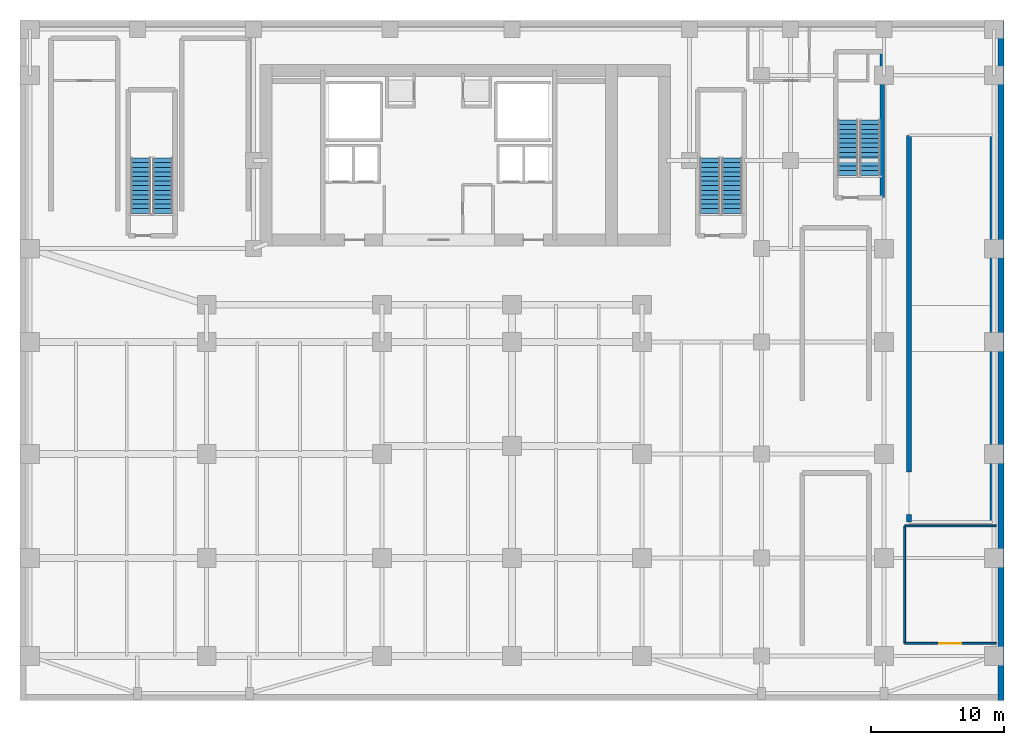
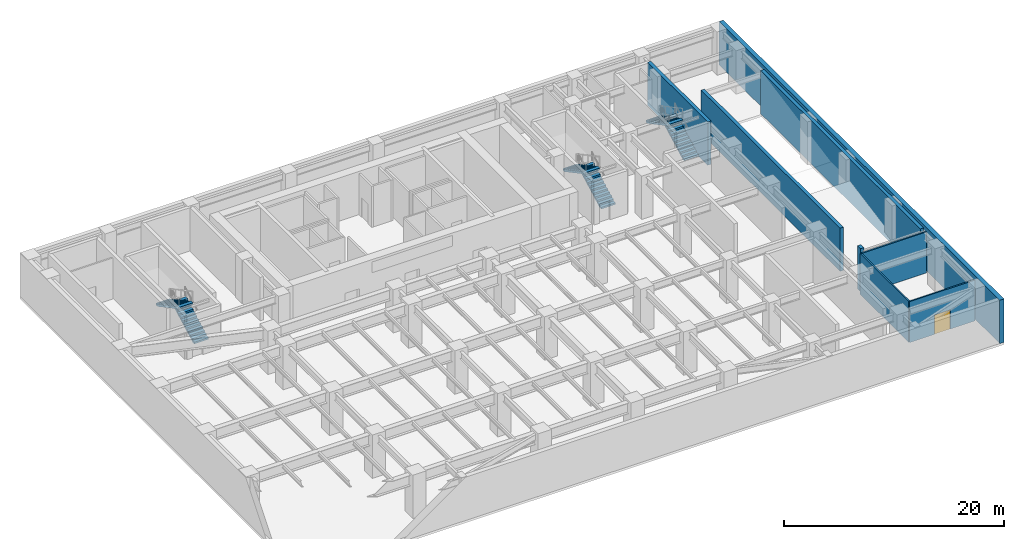
# One storey, part 6 of 9: 8 walls, 6 stair flights, 1 door, 1 opening, 3 elements without a shape of their own.
"""IFC4 building model written with IfcOpenShell, lengths in metres."""

from ifc_helpers import new_model, si_unit, direction, frame, frame_2d, origin, place, context, subcontext, project, spatial, polyline, rectangle, outline, extrude, source, transform, mapped, material, layer, layer_set, type_object, type_shapes, element, fill, aggregate, save


model = new_model("IFC4")

# Units and contexts
model_context = context("Model", 3, precision=1e-05, world=origin(), true_north=direction((0.0, 1.0)))
body_context = subcontext(model_context, "Body", "Model", "MODEL_VIEW")
ifc_project = project(units=[si_unit("LENGTHUNIT", "METRE"), si_unit("AREAUNIT", "SQUARE_METRE"), si_unit("VOLUMEUNIT", "CUBIC_METRE"), si_unit("PLANEANGLEUNIT", "RADIAN"), si_unit("MASSUNIT", "GRAM", prefix="KILO")], contexts=[model_context])

# Site, building, storey
site_placement = place(None, origin())
site = spatial("IfcSite", under=ifc_project, at=site_placement, CompositionType="ELEMENT")
building_placement = place(site_placement, origin())
building = spatial("IfcBuilding", under=site, at=building_placement, Name="Tolvann Quenvar Hotel", CompositionType="ELEMENT")
storey_placement = place(building_placement, frame((0.0, 0.0, -4.800048828125)))
storey = spatial("IfcBuildingStorey", under=building, at=storey_placement, Name="B01", CompositionType="ELEMENT", Elevation=-4.800048828125)

# Walls
ifc_material_1 = material(Name="Concrete S65 (65 MPa)", Category="concrete")
ifc_layer_1 = layer(ifc_material_1, 0.35009765625)
ifc_layer_set_1 = layer_set([ifc_layer_1], Name="Concrete S65 (65 MPa)")
wall_type_1 = type_object("IfcWallType", Name="WALL_CORE_INT_350", PredefinedType="SHEAR", material=ifc_layer_set_1)
wall_1_placement = place(storey_placement, frame((56.27490234375, 35.22509765625, 0.0), z_axis=(0.0, 0.0, 1.0), x_axis=(0.0, 1.0, 0.0)))
element("IfcWall", 1, at=wall_1_placement, inside=storey, type_object=wall_type_1, Name="Stairwell ST-B3 Structural Shaft Wall E (B01)", PredefinedType="SHEAR", context=body_context, shape_type="SweptSolid", body=[
    extrude(rectangle(XDim=10.949951171875, YDim=0.35009765625, at=frame_2d((5.47509765625, 0.0))), origin(), (0.0, 0.0, 1.0), 4.800048828125),
])
wall_2_placement = place(storey_placement, frame((58.27490234375, 10.89990234375, 0.0), z_axis=(0.0, 0.0, 1.0), x_axis=(0.0, 1.0, 0.0)))
element("IfcWall", 2, at=wall_2_placement, inside=storey, type_object=wall_type_1, Name="Vehicle Ramp Structural Shaft Wall W1 (B01)", PredefinedType="SHEAR", context=body_context, shape_type="SweptSolid", body=[
    extrude(rectangle(XDim=0.550048828125, YDim=0.35009765625, at=frame_2d((0.27490234375, 0.0))), origin(), (0.0, 0.0, 1.0), 4.800048828125),
])
wall_3_placement = place(storey_placement, frame((58.27490234375, 14.64990234375, 0.0), z_axis=(0.0, 0.0, 1.0), x_axis=(0.0, 1.0, 0.0)))
element("IfcWall", 3, at=wall_3_placement, inside=storey, type_object=wall_type_1, Name="Vehicle Ramp Structural Shaft Wall W (B01)", PredefinedType="SHEAR", context=body_context, shape_type="SweptSolid", body=[
    extrude(rectangle(XDim=25.25, YDim=0.35009765625, at=frame_2d((12.625, 0.0))), origin(), (0.0, 0.0, 1.0), 4.800048828125),
])
wall_4_placement = place(storey_placement, frame((64.52490234375, 10.89990234375, 0.0), z_axis=(0.0, 0.0, 1.0), x_axis=(0.0, 1.0, 0.0)))
element("IfcWall", 4, at=wall_4_placement, inside=storey, type_object=wall_type_1, Name="Vehicle Ramp Structural Shaft Wall E (B01)", PredefinedType="SHEAR", context=body_context, shape_type="SweptSolid", body=[
    extrude(rectangle(XDim=29.0, YDim=0.35009765625, at=frame_2d((14.5, 0.0))), origin(), (0.0, 0.0, 1.0), 4.800048828125),
])

# Wall, opening, door
ifc_material_2 = material(Name="Acoustic twin-stud fire-rated gypsum plasterboard partition")
ifc_layer_2 = layer(ifc_material_2, 0.14990234375)
ifc_layer_set_2 = layer_set([ifc_layer_2], Name="Acoustic twin-stud fire-rated gypsum plasterboard partition")
wall_type_2 = type_object("IfcWallType", Name="WALL_PART_SUITE_150", PredefinedType="PARTITIONING", material=ifc_layer_set_2)
wall_5_placement = place(storey_placement, frame((57.949951171875, 1.800048828125, 0.0), z_axis=(0.0, 0.0, 1.0), x_axis=(1.0, 0.0, 0.0)))
wall_5 = element("IfcWall", 5, at=wall_5_placement, inside=storey, type_object=wall_type_2, Name="Interior Partition PT-SPC-B01-OBS-S", PredefinedType="PARTITIONING", context=body_context, shape_type="SweptSolid", body=[
    extrude(rectangle(XDim=6.85009765625, YDim=0.14990234375, at=frame_2d((3.425048828125, 0.0))), origin(), (0.0, 0.0, 1.0), 4.5400390625),
])
opening_placement = place(wall_5_placement, frame((2.60009765625, 0.0, 0.0)))
opening = element("IfcOpeningElement", 6, at=opening_placement, cuts=wall_5, Name="Opening AD-01", PredefinedType="OPENING", context=body_context, shape_type="SweptSolid", body=[
    extrude(rectangle(XDim=1.64990234375, YDim=2.14990234375, at=frame_2d((0.824951171875, 1.074951171875))), frame((0.0, 0.0849609375, 0.0), z_axis=(0.0, -1.0, 0.0), x_axis=(1.0, 0.0, 0.0)), (0.0, 0.0, 1.0), 0.169921875),
])
ifc_material_3 = material(Name="Solid-core American oak acoustic fire door leaf in steel frame", Category="steel")
door_type = type_object("IfcDoorType", Name="DOOR_SALON_1650", OperationType="NOTDEFINED", PredefinedType="DOOR", material=ifc_material_3)
shared_shape = source(origin(), body_context, "Body", "SweptSolid", [
    extrude(rectangle(XDim=1.64990234375, YDim=2.14990234375, at=frame_2d((0.824951171875, 1.074951171875))), frame((0.0, 0.02490234375, 0.0), z_axis=(0.0, -1.0, 0.0), x_axis=(1.0, 0.0, 0.0)), (0.0, 0.0, 1.0), 0.050048828125),
])
type_shapes(door_type, [shared_shape])
door_placement = place(opening_placement, origin())
door = element("IfcDoor", 7, at=door_placement, inside=storey, type_object=door_type, Name="Interior Door DOOR-SPC-B01-OBS", OperationType="DOUBLE_DOOR_SINGLE_SWING", OverallHeight=2.14990234375, OverallWidth=1.64990234375, PredefinedType="DOOR", context=body_context, shape_type="MappedRepresentation", body=[
    mapped(shared_shape, transform((0.0, 0.0, 0.0), x_axis=(1.0, 0.0, 0.0), y_axis=(0.0, 1.0, 0.0), z_axis=(0.0, 0.0, 1.0), scale=1.0)),
])
fill(opening, door)

# Walls
wall_6_placement = place(storey_placement, frame((57.949951171875, 10.60009765625, 0.0), z_axis=(0.0, 0.0, 1.0), x_axis=(1.0, 0.0, 0.0)))
element("IfcWall", 8, at=wall_6_placement, inside=storey, type_object=wall_type_2, Name="Interior Partition PT-SPC-B01-OBS-N", PredefinedType="PARTITIONING", context=body_context, shape_type="SweptSolid", body=[
    extrude(rectangle(XDim=6.85009765625, YDim=0.14990234375, at=frame_2d((3.425048828125, 0.0))), origin(), (0.0, 0.0, 1.0), 4.5400390625),
])
wall_7_placement = place(storey_placement, frame((57.949951171875, 1.800048828125, 0.0), z_axis=(0.0, 0.0, 1.0), x_axis=(0.0, 1.0, 0.0)))
element("IfcWall", 9, at=wall_7_placement, inside=storey, type_object=wall_type_2, Name="Interior Partition PT-SPC-B01-OBS-W", PredefinedType="PARTITIONING", context=body_context, shape_type="SweptSolid", body=[
    extrude(rectangle(XDim=8.800048828125, YDim=0.14990234375, at=frame_2d((4.39990234375, 0.0))), origin(), (0.0, 0.0, 1.0), 4.5400390625),
])
ifc_material_4 = material(Name="Concrete N50 (50 MPa)", Category="concrete")
ifc_layer_3 = layer(ifc_material_4, 0.449951171875)
ifc_layer_set_3 = layer_set([ifc_layer_3], Name="Concrete N50 (50 MPa)")
wall_type_3 = type_object("IfcWallType", Name="WALL_RET_450", PredefinedType="SOLIDWALL", material=ifc_layer_set_3)
wall_8_placement = place(storey_placement, frame((65.175048828125, -2.5, 0.0), z_axis=(0.0, 0.0, 1.0), x_axis=(0.0, 1.0, 0.0)))
element("IfcWall", 10, at=wall_8_placement, inside=storey, type_object=wall_type_3, Name="Basement Perimeter Retaining Wall E (B01)", PredefinedType="SOLIDWALL", context=body_context, shape_type="SweptSolid", body=[
    extrude(rectangle(XDim=51.0, YDim=0.449951171875, at=frame_2d((25.5, 0.0))), origin(), (0.0, 0.0, 1.0), 4.800048828125),
])

# Stair, stair flights
ifc_material_5 = material(Name="Concrete N40 (40 MPa)", Category="concrete")
stair_type = type_object("IfcStairType", Name="STAIR", PredefinedType="HALF_TURN_STAIR", material=ifc_material_5)
stair_1_placement = place(storey_placement, origin())
stair_1 = element("IfcStair", 11, at=stair_1_placement, inside=storey, type_object=stair_type, Name="B01 ST-B1", PredefinedType="HALF_TURN_STAIR")
stair_flight_type = type_object("IfcStairFlightType", Name="STAIR_FLIGHT", PredefinedType="STRAIGHT", material=ifc_material_5)
stair_flight_1_placement = place(storey_placement, frame((2.300048828125, 34.050048828125, 0.0), z_axis=(0.0, 0.0, 1.0), x_axis=(0.0, 1.0, 0.0)))
stair_flight_1 = element("IfcStairFlight", 12, at=stair_flight_1_placement, type_object=stair_flight_type, Name="ST-B1 flight 1", NumberOfRisers=13, NumberOfTreads=12, PredefinedType="STRAIGHT", RiserHeight=0.184615385, TreadLength=0.345, context=body_context, shape_type="SweptSolid", body=[
    extrude(outline(polyline([(0.0, 0.0), (0.0, 0.1845703125), (0.344970703125, 0.1845703125), (0.344970703125, 0.369140625), (0.68994140625, 0.369140625), (0.68994140625, 0.553955078125), (1.034912109375, 0.553955078125), (1.034912109375, 0.738525390625), (1.3798828125, 0.738525390625), (1.3798828125, 0.923095703125), (1.72509765625, 0.923095703125), (1.72509765625, 1.107666015625), (2.070068359375, 1.107666015625), (2.070068359375, 1.292236328125), (2.4150390625, 1.292236328125), (2.4150390625, 1.476806640625), (2.760009765625, 1.476806640625), (2.760009765625, 1.66162109375), (3.10498046875, 1.66162109375), (3.10498046875, 1.84619140625), (3.449951171875, 1.84619140625), (3.449951171875, 2.03076171875), (3.794921875, 2.03076171875), (3.794921875, 2.21533203125), (4.139892578125, 2.21533203125), (4.139892578125, 2.39990234375), (4.139892578125, 2.04541015625), (0.317626953125, 0.0), (0.0, 0.0)])), frame((0.0, 0.75, 0.0), z_axis=(0.0, -1.0, 0.0), x_axis=(1.0, 0.0, 0.0)), (0.0, 0.0, 1.0), 1.5),
])
stair_flight_2_placement = place(storey_placement, frame((0.64990234375, 38.18994140625, 2.400146484375), z_axis=(0.0, 0.0, 1.0), x_axis=(0.0, -1.0, 0.0)))
stair_flight_2 = element("IfcStairFlight", 13, at=stair_flight_2_placement, type_object=stair_flight_type, Name="ST-B1 flight 2", NumberOfRisers=13, NumberOfTreads=12, PredefinedType="STRAIGHT", RiserHeight=0.184615385, TreadLength=0.345, context=body_context, shape_type="SweptSolid", body=[
    extrude(outline(polyline([(0.0, 0.0), (0.0, 0.1845703125), (0.344970703125, 0.1845703125), (0.344970703125, 0.369140625), (0.68994140625, 0.369140625), (0.68994140625, 0.553955078125), (1.034912109375, 0.553955078125), (1.034912109375, 0.738525390625), (1.3798828125, 0.738525390625), (1.3798828125, 0.923095703125), (1.72509765625, 0.923095703125), (1.72509765625, 1.107666015625), (2.070068359375, 1.107666015625), (2.070068359375, 1.292236328125), (2.4150390625, 1.292236328125), (2.4150390625, 1.476806640625), (2.760009765625, 1.476806640625), (2.760009765625, 1.66162109375), (3.10498046875, 1.66162109375), (3.10498046875, 1.84619140625), (3.449951171875, 1.84619140625), (3.449951171875, 2.03076171875), (3.794921875, 2.03076171875), (3.794921875, 2.21533203125), (4.139892578125, 2.21533203125), (4.139892578125, 2.39990234375), (4.139892578125, 2.04541015625), (0.317626953125, 0.0), (0.0, 0.0)])), frame((0.0, 0.75, 0.0), z_axis=(0.0, -1.0, 0.0), x_axis=(1.0, 0.0, 0.0)), (0.0, 0.0, 1.0), 1.5),
])
aggregate(stair_1, [stair_flight_1, stair_flight_2])

stair_2_placement = place(storey_placement, origin())
stair_2 = element("IfcStair", 14, at=stair_2_placement, inside=storey, type_object=stair_type, Name="B01 ST-B2", PredefinedType="HALF_TURN_STAIR")
stair_flight_3_placement = place(storey_placement, frame((45.0, 34.050048828125, 0.0), z_axis=(0.0, 0.0, 1.0), x_axis=(0.0, 1.0, 0.0)))
stair_flight_3 = element("IfcStairFlight", 15, at=stair_flight_3_placement, type_object=stair_flight_type, Name="ST-B2 flight 1", NumberOfRisers=13, NumberOfTreads=12, PredefinedType="STRAIGHT", RiserHeight=0.184615385, TreadLength=0.345, context=body_context, shape_type="SweptSolid", body=[
    extrude(outline(polyline([(0.0, 0.0), (0.0, 0.1845703125), (0.344970703125, 0.1845703125), (0.344970703125, 0.369140625), (0.68994140625, 0.369140625), (0.68994140625, 0.553955078125), (1.034912109375, 0.553955078125), (1.034912109375, 0.738525390625), (1.3798828125, 0.738525390625), (1.3798828125, 0.923095703125), (1.72509765625, 0.923095703125), (1.72509765625, 1.107666015625), (2.070068359375, 1.107666015625), (2.070068359375, 1.292236328125), (2.4150390625, 1.292236328125), (2.4150390625, 1.476806640625), (2.760009765625, 1.476806640625), (2.760009765625, 1.66162109375), (3.10498046875, 1.66162109375), (3.10498046875, 1.84619140625), (3.449951171875, 1.84619140625), (3.449951171875, 2.03076171875), (3.794921875, 2.03076171875), (3.794921875, 2.21533203125), (4.139892578125, 2.21533203125), (4.139892578125, 2.39990234375), (4.139892578125, 2.04541015625), (0.317626953125, 0.0), (0.0, 0.0)])), frame((0.0, 0.75, 0.0), z_axis=(0.0, -1.0, 0.0), x_axis=(1.0, 0.0, 0.0)), (0.0, 0.0, 1.0), 1.5),
])
stair_flight_4_placement = place(storey_placement, frame((43.35009765625, 38.18994140625, 2.400146484375), z_axis=(0.0, 0.0, 1.0), x_axis=(0.0, -1.0, 0.0)))
stair_flight_4 = element("IfcStairFlight", 16, at=stair_flight_4_placement, type_object=stair_flight_type, Name="ST-B2 flight 2", NumberOfRisers=13, NumberOfTreads=12, PredefinedType="STRAIGHT", RiserHeight=0.184615385, TreadLength=0.345, context=body_context, shape_type="SweptSolid", body=[
    extrude(outline(polyline([(0.0, 0.0), (0.0, 0.1845703125), (0.344970703125, 0.1845703125), (0.344970703125, 0.369140625), (0.68994140625, 0.369140625), (0.68994140625, 0.553955078125), (1.034912109375, 0.553955078125), (1.034912109375, 0.738525390625), (1.3798828125, 0.738525390625), (1.3798828125, 0.923095703125), (1.72509765625, 0.923095703125), (1.72509765625, 1.107666015625), (2.070068359375, 1.107666015625), (2.070068359375, 1.292236328125), (2.4150390625, 1.292236328125), (2.4150390625, 1.476806640625), (2.760009765625, 1.476806640625), (2.760009765625, 1.66162109375), (3.10498046875, 1.66162109375), (3.10498046875, 1.84619140625), (3.449951171875, 1.84619140625), (3.449951171875, 2.03076171875), (3.794921875, 2.03076171875), (3.794921875, 2.21533203125), (4.139892578125, 2.21533203125), (4.139892578125, 2.39990234375), (4.139892578125, 2.04541015625), (0.317626953125, 0.0), (0.0, 0.0)])), frame((0.0, 0.75, 0.0), z_axis=(0.0, -1.0, 0.0), x_axis=(1.0, 0.0, 0.0)), (0.0, 0.0, 1.0), 1.5),
])
aggregate(stair_2, [stair_flight_3, stair_flight_4])

stair_3_placement = place(storey_placement, origin())
stair_3 = element("IfcStair", 17, at=stair_3_placement, inside=storey, type_object=stair_type, Name="B01 ST-B3", PredefinedType="HALF_TURN_STAIR")
stair_flight_5_placement = place(storey_placement, frame((55.35009765625, 36.89990234375, 0.0), z_axis=(0.0, 0.0, 1.0), x_axis=(0.0, 1.0, 0.0)))
stair_flight_5 = element("IfcStairFlight", 18, at=stair_flight_5_placement, type_object=stair_flight_type, Name="ST-B3 flight 1", NumberOfRisers=13, NumberOfTreads=12, PredefinedType="STRAIGHT", RiserHeight=0.184615385, TreadLength=0.345, context=body_context, shape_type="SweptSolid", body=[
    extrude(outline(polyline([(0.0, 0.0), (0.0, 0.1845703125), (0.344970703125, 0.1845703125), (0.344970703125, 0.369140625), (0.68994140625, 0.369140625), (0.68994140625, 0.553955078125), (1.034912109375, 0.553955078125), (1.034912109375, 0.738525390625), (1.3798828125, 0.738525390625), (1.3798828125, 0.923095703125), (1.72509765625, 0.923095703125), (1.72509765625, 1.107666015625), (2.070068359375, 1.107666015625), (2.070068359375, 1.292236328125), (2.4150390625, 1.292236328125), (2.4150390625, 1.476806640625), (2.760009765625, 1.476806640625), (2.760009765625, 1.66162109375), (3.10498046875, 1.66162109375), (3.10498046875, 1.84619140625), (3.449951171875, 1.84619140625), (3.449951171875, 2.03076171875), (3.794921875, 2.03076171875), (3.794921875, 2.21533203125), (4.139892578125, 2.21533203125), (4.139892578125, 2.39990234375), (4.139892578125, 2.04541015625), (0.317626953125, 0.0), (0.0, 0.0)])), frame((0.0, 0.75, 0.0), z_axis=(0.0, -1.0, 0.0), x_axis=(1.0, 0.0, 0.0)), (0.0, 0.0, 1.0), 1.5),
])
stair_flight_6_placement = place(storey_placement, frame((53.699951171875, 41.0400390625, 2.400146484375), z_axis=(0.0, 0.0, 1.0), x_axis=(0.0, -1.0, 0.0)))
stair_flight_6 = element("IfcStairFlight", 19, at=stair_flight_6_placement, type_object=stair_flight_type, Name="ST-B3 flight 2", NumberOfRisers=13, NumberOfTreads=12, PredefinedType="STRAIGHT", RiserHeight=0.184615385, TreadLength=0.345, context=body_context, shape_type="SweptSolid", body=[
    extrude(outline(polyline([(0.0, 0.0), (0.0, 0.1845703125), (0.344970703125, 0.1845703125), (0.344970703125, 0.369140625), (0.68994140625, 0.369140625), (0.68994140625, 0.553955078125), (1.034912109375, 0.553955078125), (1.034912109375, 0.738525390625), (1.3798828125, 0.738525390625), (1.3798828125, 0.923095703125), (1.72509765625, 0.923095703125), (1.72509765625, 1.107666015625), (2.070068359375, 1.107666015625), (2.070068359375, 1.292236328125), (2.4150390625, 1.292236328125), (2.4150390625, 1.476806640625), (2.760009765625, 1.476806640625), (2.760009765625, 1.66162109375), (3.10498046875, 1.66162109375), (3.10498046875, 1.84619140625), (3.449951171875, 1.84619140625), (3.449951171875, 2.03076171875), (3.794921875, 2.03076171875), (3.794921875, 2.21533203125), (4.139892578125, 2.21533203125), (4.139892578125, 2.39990234375), (4.139892578125, 2.04541015625), (0.317626953125, 0.0), (0.0, 0.0)])), frame((0.0, 0.75, 0.0), z_axis=(0.0, -1.0, 0.0), x_axis=(1.0, 0.0, 0.0)), (0.0, 0.0, 1.0), 1.5),
])
aggregate(stair_3, [stair_flight_5, stair_flight_6])

save(model, "model.ifc")
